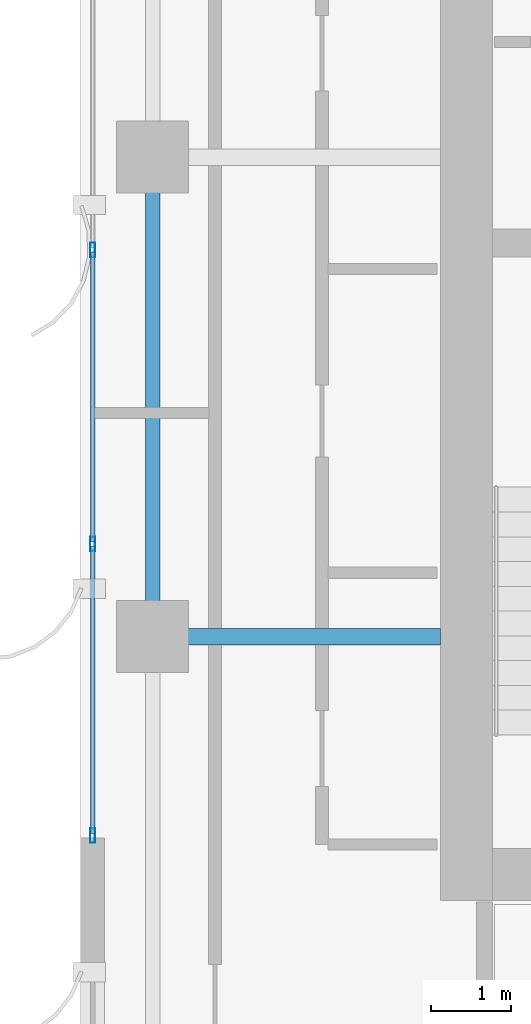
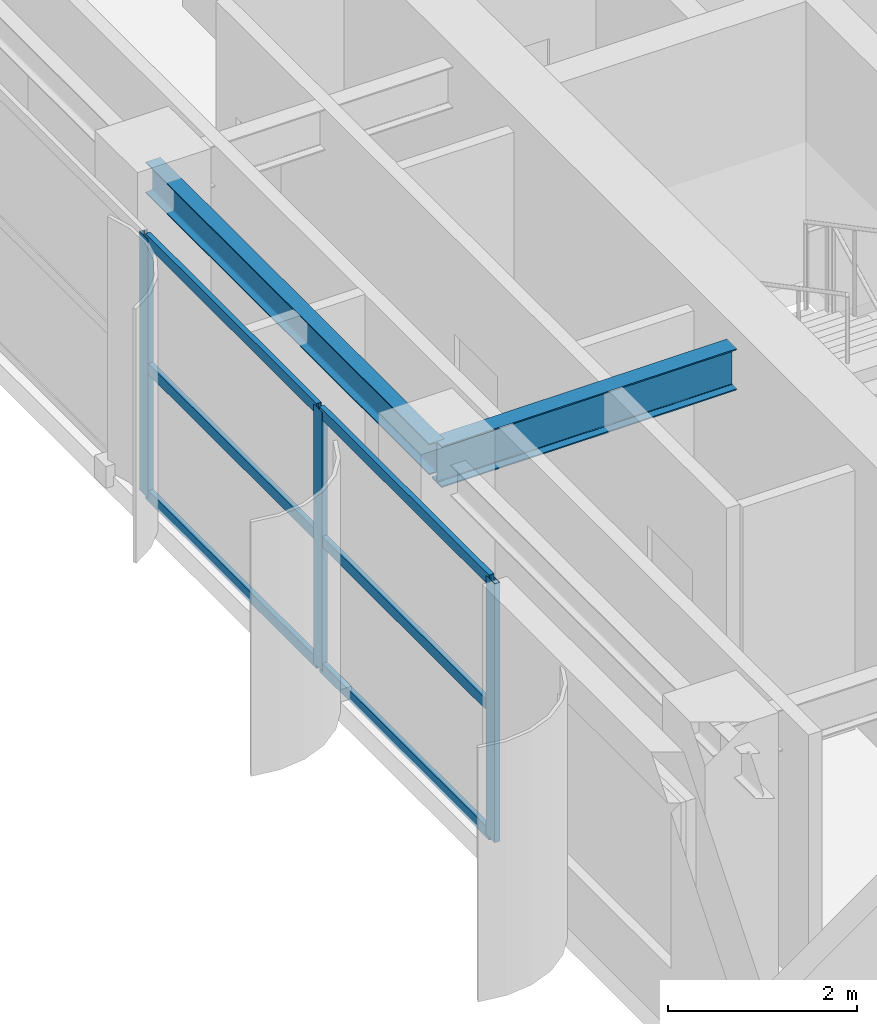
# One storey, part 6 of 22: 9 members, 2 beams, 1 element without a shape of its own.
"""IFC4 building model written with IfcOpenShell, lengths in metres."""

from ifc_helpers import new_model, si_unit, direction, frame, origin, origin_2d, place, context, subcontext, project, spatial, hollow_rectangle, i_section, extrude, source, transform, mapped, material, layer, layer_set, material_profile, profile_set, type_object, element, aggregate, save


model = new_model("IFC4")

# Units and contexts
model_context = context("Model", 3, precision=1e-05, world=origin(), true_north=direction((0.0, 1.0)))
body_context = subcontext(model_context, "Body", "Model", "MODEL_VIEW")
ifc_project = project(units=[si_unit("LENGTHUNIT", "METRE"), si_unit("AREAUNIT", "SQUARE_METRE"), si_unit("VOLUMEUNIT", "CUBIC_METRE"), si_unit("PLANEANGLEUNIT", "RADIAN"), si_unit("MASSUNIT", "GRAM", prefix="KILO")], contexts=[model_context])

# Site, building, storey
site_placement = place(None, origin())
site = spatial("IfcSite", under=ifc_project, at=site_placement, CompositionType="ELEMENT")
building_placement = place(site_placement, origin())
building = spatial("IfcBuilding", under=site, at=building_placement, Name="Khoralis Quay Care Tower", CompositionType="ELEMENT")
storey_placement = place(building_placement, frame((0.0, 0.0, 191.699951171875)))
storey = spatial("IfcBuildingStorey", under=building, at=storey_placement, Name="L50", CompositionType="ELEMENT", Elevation=191.699951171875)

# Beams
ifc_material_1 = material(Name="Steel S355", Category="steel")
ifc_material_profile_1 = material_profile(ifc_material_1, i_section(OverallWidth=0.179931640625, OverallDepth=0.39990234375, WebThickness=0.008544921875, FlangeThickness=0.013427734375, FilletRadius=0.02099609375, at=origin_2d()), Name="Steel S355")
ifc_profile_set_1 = profile_set([ifc_material_profile_1], Name="Steel S355")
beam_type_1 = type_object("IfcBeamType", Name="BM-IPE400", PredefinedType="SPANDREL", material=ifc_profile_set_1)
shared_shape_1 = source(origin(), body_context, "Body", "SweptSolid", [
    extrude(i_section(OverallWidth=0.179931640625, OverallDepth=0.39990234375, WebThickness=0.008544921875, FlangeThickness=0.013427734375, FilletRadius=0.02099609375, at=origin_2d()), origin(), (0.0, 0.0, 1.0), 6.0),
])
beam_1_placement = place(storey_placement, frame((3.89990234375, 18.0, 3.14013671875), z_axis=(0.0, 1.0, 0.0), x_axis=(-1.0, 0.0, 0.0)))
element("IfcBeam", 1, at=beam_1_placement, inside=storey, type_object=beam_type_1, Name="BM-TSP-L50-07", PredefinedType="SPANDREL", context=body_context, shape_type="MappedRepresentation", body=[
    mapped(shared_shape_1, transform((0.0, 0.0, 0.0), scale=1.0)),
])
ifc_material_profile_2 = material_profile(ifc_material_1, i_section(OverallWidth=0.208984375, OverallDepth=0.532958984375, WebThickness=0.01025390625, FlangeThickness=0.015625, FilletRadius=0.01611328125, at=origin_2d()), Name="Steel S355")
ifc_profile_set_2 = profile_set([ifc_material_profile_2], Name="Steel S355")
beam_type_2 = type_object("IfcBeamType", Name="BM-W530X92", PredefinedType="BEAM", material=ifc_profile_set_2)
shared_shape_2 = source(origin(), body_context, "Body", "SweptSolid", [
    extrude(i_section(OverallWidth=0.208984375, OverallDepth=0.532958984375, WebThickness=0.01025390625, FlangeThickness=0.015625, FilletRadius=0.01611328125, at=origin_2d()), origin(), (0.0, 0.0, 1.0), 3.60205078125),
])
beam_2_placement = place(storey_placement, frame((3.89990234375, 18.0, 3.073486328125), z_axis=(1.0, 0.0, 0.0), x_axis=(0.0, 1.0, 0.0)))
element("IfcBeam", 2, at=beam_2_placement, inside=storey, type_object=beam_type_2, Name="BM-TGXW-L50-180", PredefinedType="BEAM", context=body_context, shape_type="MappedRepresentation", body=[
    mapped(shared_shape_2, transform((0.0, 0.0, 0.0), scale=1.0)),
])

# Curtain wall, members
ifc_material_2 = material(Name="Pale anodised aluminium", Category="aluminium")
ifc_layer = layer(ifc_material_2, 0.159912109375)
ifc_layer_set = layer_set([ifc_layer], Name="Pale anodised aluminium")
curtain_wall_type = type_object("IfcCurtainWallType", Name="CW-SYS-Z3", PredefinedType="NOTDEFINED", material=ifc_layer_set)
curtain_wall_placement = place(storey_placement, origin())
curtain_wall = element("IfcCurtainWall", 3, at=curtain_wall_placement, inside=storey, type_object=curtain_wall_type, Name="L50 Unitised Curtain Wall CW-L50-P1-E7", PredefinedType="NOTDEFINED")
ifc_material_profile_3 = material_profile(ifc_material_2, hollow_rectangle(XDim=0.06494140625, YDim=0.179931640625, WallThickness=0.00390625, at=origin_2d()), Name="Pale anodised aluminium")
ifc_profile_set_3 = profile_set([ifc_material_profile_3], Name="Pale anodised aluminium")
member_type_1 = type_object("IfcMemberType", Name="CW-MUL-180", PredefinedType="MULLION", material=ifc_profile_set_3)
shared_shape_3 = source(origin(), body_context, "Body", "SweptSolid", [
    extrude(hollow_rectangle(XDim=0.06494140625, YDim=0.179931640625, WallThickness=0.00390625, at=origin_2d()), origin(), (0.0, 0.0, 1.0), 3.340087890625),
])
member_1_placement = place(storey_placement, frame((3.14990234375, 22.840087890625, 0.0), z_axis=(0.0, 0.0, 1.0), x_axis=(1.0, 0.0, 0.0)))
member_1 = element("IfcMember", 4, at=member_1_placement, type_object=member_type_1, Name="CW3 mullion 2", PredefinedType="MULLION", context=body_context, shape_type="MappedRepresentation", body=[
    mapped(shared_shape_3, transform((0.0, 0.0, 0.0), scale=1.0)),
])
member_2_placement = place(storey_placement, frame((3.14990234375, 19.159912109375, 0.0), z_axis=(0.0, 0.0, 1.0), x_axis=(1.0, 0.0, 0.0)))
member_2 = element("IfcMember", 5, at=member_2_placement, type_object=member_type_1, Name="CW3 mullion 3", PredefinedType="MULLION", context=body_context, shape_type="MappedRepresentation", body=[
    mapped(shared_shape_3, transform((0.0, 0.0, 0.0), scale=1.0)),
])
member_3_placement = place(storey_placement, frame((3.14990234375, 15.510009765625, 0.0), z_axis=(0.0, 0.0, 1.0), x_axis=(1.0, 0.0, 0.0)))
member_3 = element("IfcMember", 6, at=member_3_placement, type_object=member_type_1, Name="CW3 mullion 4", PredefinedType="MULLION", context=body_context, shape_type="MappedRepresentation", body=[
    mapped(shared_shape_3, transform((0.0, 0.0, 0.0), scale=1.0)),
])
ifc_material_profile_4 = material_profile(ifc_material_2, hollow_rectangle(XDim=0.06005859375, YDim=0.139892578125, WallThickness=0.00390625, at=origin_2d()), Name="Pale anodised aluminium")
ifc_profile_set_4 = profile_set([ifc_material_profile_4], Name="Pale anodised aluminium")
member_type_2 = type_object("IfcMemberType", Name="CW-TRN-140", PredefinedType="USERDEFINED", material=ifc_profile_set_4)
shared_shape_4 = source(origin(), body_context, "Body", "SweptSolid", [
    extrude(hollow_rectangle(XDim=0.06005859375, YDim=0.139892578125, WallThickness=0.00390625, at=origin_2d()), origin(), (0.0, 0.0, 1.0), 3.58984375),
])
member_4_placement = place(storey_placement, frame((3.14990234375, 19.1298828125, 0.030029296875), z_axis=(0.0, -1.0, 0.0), x_axis=(1.0, 0.0, 0.0)))
member_4 = element("IfcMember", 7, at=member_4_placement, type_object=member_type_2, Name="CW3 transom 3.1", ObjectType="TRANSOM", PredefinedType="USERDEFINED", context=body_context, shape_type="MappedRepresentation", body=[
    mapped(shared_shape_4, transform((0.0, 0.0, 0.0), scale=1.0)),
])
member_5_placement = place(storey_placement, frame((3.14990234375, 19.1298828125, 1.670166015625), z_axis=(0.0, -1.0, 0.0), x_axis=(1.0, 0.0, 0.0)))
member_5 = element("IfcMember", 8, at=member_5_placement, type_object=member_type_2, Name="CW3 transom 3.2", ObjectType="TRANSOM", PredefinedType="USERDEFINED", context=body_context, shape_type="MappedRepresentation", body=[
    mapped(shared_shape_4, transform((0.0, 0.0, 0.0), scale=1.0)),
])
member_6_placement = place(storey_placement, frame((3.14990234375, 19.1298828125, 3.31005859375), z_axis=(0.0, -1.0, 0.0), x_axis=(1.0, 0.0, 0.0)))
member_6 = element("IfcMember", 9, at=member_6_placement, type_object=member_type_2, Name="CW3 transom 3.3", ObjectType="TRANSOM", PredefinedType="USERDEFINED", context=body_context, shape_type="MappedRepresentation", body=[
    mapped(shared_shape_4, transform((0.0, 0.0, 0.0), scale=1.0)),
])
shared_shape_5 = source(origin(), body_context, "Body", "SweptSolid", [
    extrude(hollow_rectangle(XDim=0.06005859375, YDim=0.139892578125, WallThickness=0.00390625, at=origin_2d()), origin(), (0.0, 0.0, 1.0), 3.6201171875),
])
member_7_placement = place(storey_placement, frame((3.14990234375, 22.81005859375, 0.030029296875), z_axis=(0.0, -1.0, 0.0), x_axis=(1.0, 0.0, 0.0)))
member_7 = element("IfcMember", 10, at=member_7_placement, type_object=member_type_2, Name="CW3 transom 2.1", ObjectType="TRANSOM", PredefinedType="USERDEFINED", context=body_context, shape_type="MappedRepresentation", body=[
    mapped(shared_shape_5, transform((0.0, 0.0, 0.0), scale=1.0)),
])
member_8_placement = place(storey_placement, frame((3.14990234375, 22.81005859375, 1.670166015625), z_axis=(0.0, -1.0, 0.0), x_axis=(1.0, 0.0, 0.0)))
member_8 = element("IfcMember", 11, at=member_8_placement, type_object=member_type_2, Name="CW3 transom 2.2", ObjectType="TRANSOM", PredefinedType="USERDEFINED", context=body_context, shape_type="MappedRepresentation", body=[
    mapped(shared_shape_5, transform((0.0, 0.0, 0.0), scale=1.0)),
])
member_9_placement = place(storey_placement, frame((3.14990234375, 22.81005859375, 3.31005859375), z_axis=(0.0, -1.0, 0.0), x_axis=(1.0, 0.0, 0.0)))
member_9 = element("IfcMember", 12, at=member_9_placement, type_object=member_type_2, Name="CW3 transom 2.3", ObjectType="TRANSOM", PredefinedType="USERDEFINED", context=body_context, shape_type="MappedRepresentation", body=[
    mapped(shared_shape_5, transform((0.0, 0.0, 0.0), scale=1.0)),
])
aggregate(curtain_wall, [member_1, member_2, member_3, member_7, member_8, member_9, member_4, member_5, member_6])

save(model, "model.ifc")
